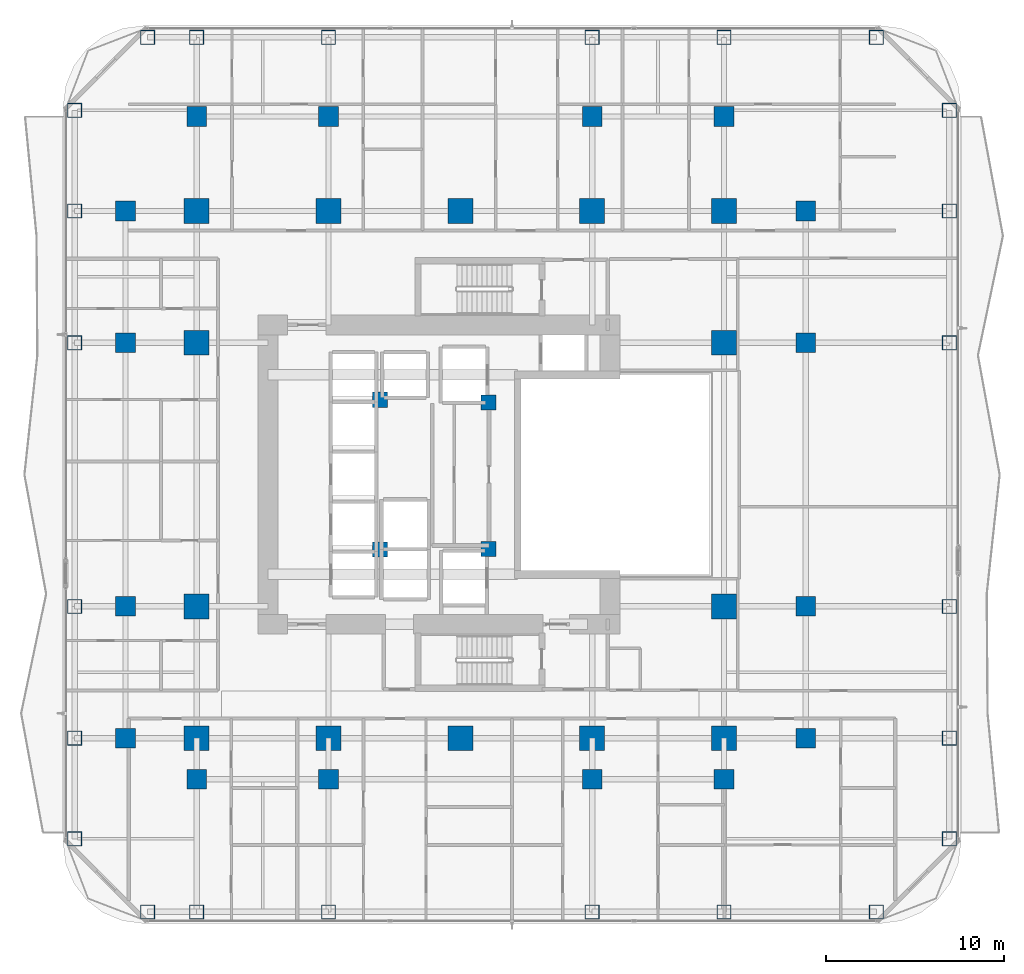
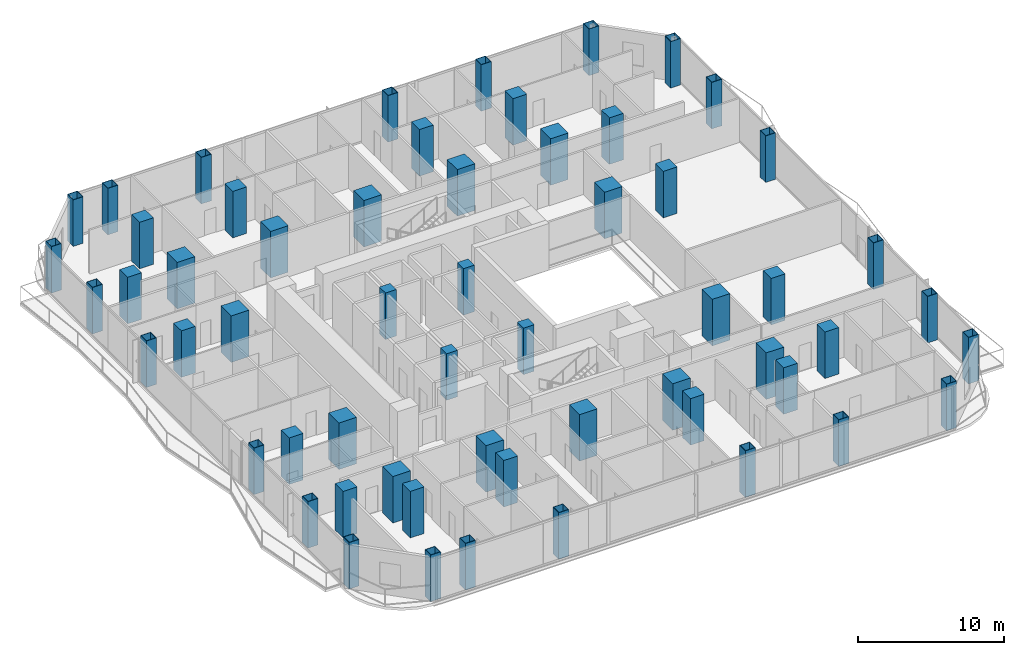
# One storey, part 1 of 30: 58 columns.
"""IFC4 building model written with IfcOpenShell, lengths in metres."""

from ifc_helpers import new_model, si_unit, direction, frame, origin, origin_2d, place, context, subcontext, project, spatial, rectangle, hollow_rectangle, extrude, material, material_profile, profile_set, type_object, element, save


model = new_model("IFC4")

# Units and contexts
model_context = context("Model", 3, precision=1e-05, world=origin(), true_north=direction((0.0, 1.0)))
body_context = subcontext(model_context, "Body", "Model", "MODEL_VIEW")
ifc_project = project(units=[si_unit("LENGTHUNIT", "METRE"), si_unit("AREAUNIT", "SQUARE_METRE"), si_unit("VOLUMEUNIT", "CUBIC_METRE"), si_unit("PLANEANGLEUNIT", "RADIAN"), si_unit("MASSUNIT", "GRAM", prefix="KILO")], contexts=[model_context])

# Site, building, storey
site_placement = place(None, origin())
site = spatial("IfcSite", under=ifc_project, at=site_placement, CompositionType="ELEMENT")
building_placement = place(site_placement, origin())
building = spatial("IfcBuilding", under=site, at=building_placement, Name="Khorvyn Point Tower", CompositionType="ELEMENT")
storey_placement = place(building_placement, frame((0.0, 0.0, 30.60009765625)))
storey = spatial("IfcBuildingStorey", under=building, at=storey_placement, Name="L08", CompositionType="ELEMENT", Elevation=30.60009765625)

# Columns
ifc_material_1 = material(Name="Concrete C40/50", Category="concrete")
ifc_material_profile_1 = material_profile(ifc_material_1, rectangle(XDim=0.85009765625, YDim=0.85009765625, at=origin_2d()))
ifc_profile_set_1 = profile_set([ifc_material_profile_1], Name="Concrete C40/50 RC850x850")
column_type_1 = type_object("IfcColumnType", Name="Concrete C40/50 Column RC850x850", PredefinedType="COLUMN", material=ifc_profile_set_1)
for number, where, z_axis, x_axis, name in (
    (1, (-4.52001953125, -4.199951171875, 0.0), (0.0, 0.0, 1.0), (1.0, 0.0, 0.0), "L08 Crown Core Spine Column 1"),
    (2, (1.580078125, -4.179931640625, 0.0), (0.0, 0.0, 1.0), (1.0, 0.0, 0.0), "L08 Crown Core Spine Column 2"),
    (3, (1.580078125, 4.050048828125, 0.0), (0.0, 0.0, 1.0), (1.0, 0.0, 0.0), "L08 Crown Core Spine Column 3"),
    (4, (-4.52001953125, 4.199951171875, 0.0), (0.0, 0.0, 1.0), (1.0, 0.0, 0.0), "L08 Crown Core Spine Column 4"),
):
    element("IfcColumn", number, at=place(storey_placement, frame(where, z_axis=z_axis, x_axis=x_axis)), inside=storey, type_object=column_type_1, Name=name, PredefinedType="COLUMN", context=body_context, shape_type="SweptSolid", body=[
        extrude(rectangle(XDim=0.85009765625, YDim=0.85009765625, at=origin_2d()), origin(), (0.0, 0.0, 1.0), 3.89990234375),
    ])
ifc_material_2 = material(Name="Concrete C45/55", Category="concrete")
ifc_material_profile_2 = material_profile(ifc_material_2, rectangle(XDim=1.10009765625, YDim=1.10009765625, at=origin_2d()))
ifc_profile_set_2 = profile_set([ifc_material_profile_2], Name="Concrete C45/55 RC1100x1100")
column_type_2 = type_object("IfcColumnType", Name="Concrete C45/55 Column RC1100x1100", PredefinedType="COLUMN", material=ifc_profile_set_2)
for number, where, z_axis, x_axis, name in (
    (5, (-18.800048828125, -14.800048828125, 0.0), (0.0, 0.0, 1.0), (1.0, 0.0, 0.0), "L08 Intermediate Column ICW--14"),
    (6, (-18.800048828125, -7.39990234375, 0.0), (0.0, 0.0, 1.0), (1.0, 0.0, 0.0), "L08 Intermediate Column ICW--7"),
    (7, (-18.800048828125, 7.39990234375, 0.0), (0.0, 0.0, 1.0), (1.0, 0.0, 0.0), "L08 Intermediate Column ICW-7"),
    (8, (-18.800048828125, 14.800048828125, 0.0), (0.0, 0.0, 1.0), (1.0, 0.0, 0.0), "L08 Intermediate Column ICW-14"),
    (9, (19.39990234375, -14.800048828125, 0.0), (0.0, 0.0, 1.0), (1.0, 0.0, 0.0), "L08 Intermediate Column ICE--14"),
    (10, (19.39990234375, -7.39990234375, 0.0), (0.0, 0.0, 1.0), (1.0, 0.0, 0.0), "L08 Intermediate Column ICE--7"),
    (11, (19.39990234375, 7.39990234375, 0.0), (0.0, 0.0, 1.0), (1.0, 0.0, 0.0), "L08 Intermediate Column ICE-7"),
    (12, (19.39990234375, 14.800048828125, 0.0), (0.0, 0.0, 1.0), (1.0, 0.0, 0.0), "L08 Intermediate Column ICE-14"),
    (13, (-14.800048828125, -17.10009765625, 0.0), (0.0, 0.0, 1.0), (1.0, 0.0, 0.0), "L08 Intermediate Column ICS--14"),
    (14, (-7.39990234375, -17.10009765625, 0.0), (0.0, 0.0, 1.0), (1.0, 0.0, 0.0), "L08 Intermediate Column ICS--7"),
    (15, (7.39990234375, -17.10009765625, 0.0), (0.0, 0.0, 1.0), (1.0, 0.0, 0.0), "L08 Intermediate Column ICS-7"),
    (16, (14.800048828125, -17.10009765625, 0.0), (0.0, 0.0, 1.0), (1.0, 0.0, 0.0), "L08 Intermediate Column ICS-14"),
    (17, (-14.800048828125, 20.10009765625, 0.0), (0.0, 0.0, 1.0), (1.0, 0.0, 0.0), "L08 Intermediate Column ICN--14"),
    (18, (-7.39990234375, 20.10009765625, 0.0), (0.0, 0.0, 1.0), (1.0, 0.0, 0.0), "L08 Intermediate Column ICN--7"),
    (19, (7.39990234375, 20.10009765625, 0.0), (0.0, 0.0, 1.0), (1.0, 0.0, 0.0), "L08 Intermediate Column ICN-7"),
    (20, (14.800048828125, 20.10009765625, 0.0), (0.0, 0.0, 1.0), (1.0, 0.0, 0.0), "L08 Intermediate Column ICN-14"),
):
    element("IfcColumn", number, at=place(storey_placement, frame(where, z_axis=z_axis, x_axis=x_axis)), inside=storey, type_object=column_type_2, Name=name, PredefinedType="COLUMN", context=body_context, shape_type="SweptSolid", body=[
        extrude(rectangle(XDim=1.10009765625, YDim=1.10009765625, at=origin_2d()), origin(), (0.0, 0.0, 1.0), 3.89990234375),
    ])
ifc_material_3 = material(Name="Concrete C50/60", Category="concrete")
ifc_material_profile_3 = material_profile(ifc_material_3, rectangle(XDim=1.39990234375, YDim=1.39990234375, at=origin_2d()))
ifc_profile_set_3 = profile_set([ifc_material_profile_3], Name="Concrete C50/60 RC1400x1400")
column_type_3 = type_object("IfcColumnType", Name="Concrete C50/60 Column RC1400x1400", PredefinedType="COLUMN", material=ifc_profile_set_3)
for number, where, z_axis, x_axis, name in (
    (21, (-14.800048828125, -14.800048828125, 0.0), (0.0, 0.0, 1.0), (1.0, 0.0, 0.0), "L08 Mega-Column MC-01"),
    (22, (-7.39990234375, -14.800048828125, 0.0), (0.0, 0.0, 1.0), (1.0, 0.0, 0.0), "L08 Mega-Column MC-02"),
    (23, (0.0, -14.800048828125, 0.0), (0.0, 0.0, 1.0), (1.0, 0.0, 0.0), "L08 Mega-Column MC-03"),
    (24, (7.39990234375, -14.800048828125, 0.0), (0.0, 0.0, 1.0), (1.0, 0.0, 0.0), "L08 Mega-Column MC-04"),
    (25, (14.800048828125, -14.800048828125, 0.0), (0.0, 0.0, 1.0), (1.0, 0.0, 0.0), "L08 Mega-Column MC-05"),
    (26, (-14.800048828125, 14.800048828125, 0.0), (0.0, 0.0, 1.0), (1.0, 0.0, 0.0), "L08 Mega-Column MC-06"),
    (27, (-7.39990234375, 14.800048828125, 0.0), (0.0, 0.0, 1.0), (1.0, 0.0, 0.0), "L08 Mega-Column MC-07"),
    (28, (0.0, 14.800048828125, 0.0), (0.0, 0.0, 1.0), (1.0, 0.0, 0.0), "L08 Mega-Column MC-08"),
    (29, (7.39990234375, 14.800048828125, 0.0), (0.0, 0.0, 1.0), (1.0, 0.0, 0.0), "L08 Mega-Column MC-09"),
    (30, (14.800048828125, 14.800048828125, 0.0), (0.0, 0.0, 1.0), (1.0, 0.0, 0.0), "L08 Mega-Column MC-10"),
    (31, (-14.800048828125, -7.39990234375, 0.0), (0.0, 0.0, 1.0), (1.0, 0.0, 0.0), "L08 Mega-Column MC-11"),
    (32, (-14.800048828125, 7.39990234375, 0.0), (0.0, 0.0, 1.0), (1.0, 0.0, 0.0), "L08 Mega-Column MC-12"),
    (33, (14.800048828125, -7.39990234375, 0.0), (0.0, 0.0, 1.0), (1.0, 0.0, 0.0), "L08 Mega-Column MC-13"),
    (34, (14.800048828125, 7.39990234375, 0.0), (0.0, 0.0, 1.0), (1.0, 0.0, 0.0), "L08 Mega-Column MC-14"),
):
    element("IfcColumn", number, at=place(storey_placement, frame(where, z_axis=z_axis, x_axis=x_axis)), inside=storey, type_object=column_type_3, Name=name, PredefinedType="COLUMN", context=body_context, shape_type="SweptSolid", body=[
        extrude(rectangle(XDim=1.39990234375, YDim=1.39990234375, at=origin_2d()), origin(), (0.0, 0.0, 1.0), 3.89990234375),
    ])
ifc_material_4 = material(Name="Steel S450", Category="steel")
ifc_material_profile_4 = material_profile(ifc_material_4, hollow_rectangle(XDim=0.800048828125, YDim=0.800048828125, WallThickness=0.035888671875, at=origin_2d()))
ifc_profile_set_4 = profile_set([ifc_material_profile_4], Name="Steel S450 BOX800x800x36")
column_type_4 = type_object("IfcColumnType", Name="Steel S450 Structural Column BOX800x800x36", PredefinedType="COLUMN", material=ifc_profile_set_4)
for number, where, z_axis, x_axis, name in (
    (35, (-17.550048828125, -24.550048828125, 0.0), (0.0, 0.0, 1.0), (1.0, 0.0, 0.0), "L08 Perimeter Tube Column TC-01"),
    (36, (23.35009765625, -24.550048828125, 0.0), (0.0, 0.0, 1.0), (1.0, 0.0, 0.0), "L08 Perimeter Tube Column TC-02"),
    (37, (-17.550048828125, 24.550048828125, 0.0), (0.0, 0.0, 1.0), (1.0, 0.0, 0.0), "L08 Perimeter Tube Column TC-03"),
    (38, (23.35009765625, 24.550048828125, 0.0), (0.0, 0.0, 1.0), (1.0, 0.0, 0.0), "L08 Perimeter Tube Column TC-04"),
    (39, (-21.64990234375, -20.449951171875, 0.0), (0.0, 0.0, 1.0), (1.0, 0.0, 0.0), "L08 Perimeter Tube Column TC-05"),
    (40, (-21.64990234375, 20.449951171875, 0.0), (0.0, 0.0, 1.0), (1.0, 0.0, 0.0), "L08 Perimeter Tube Column TC-06"),
    (41, (27.449951171875, -20.449951171875, 0.0), (0.0, 0.0, 1.0), (1.0, 0.0, 0.0), "L08 Perimeter Tube Column TC-07"),
    (42, (27.449951171875, 20.449951171875, 0.0), (0.0, 0.0, 1.0), (1.0, 0.0, 0.0), "L08 Perimeter Tube Column TC-08"),
    (43, (-14.800048828125, -24.550048828125, 0.0), (0.0, 0.0, 1.0), (1.0, 0.0, 0.0), "L08 Perimeter Tube Column TC-09"),
    (44, (-14.800048828125, 24.550048828125, 0.0), (0.0, 0.0, 1.0), (1.0, 0.0, 0.0), "L08 Perimeter Tube Column TC-10"),
    (45, (-7.39990234375, -24.550048828125, 0.0), (0.0, 0.0, 1.0), (1.0, 0.0, 0.0), "L08 Perimeter Tube Column TC-11"),
    (46, (-7.39990234375, 24.550048828125, 0.0), (0.0, 0.0, 1.0), (1.0, 0.0, 0.0), "L08 Perimeter Tube Column TC-12"),
    (47, (7.39990234375, -24.550048828125, 0.0), (0.0, 0.0, 1.0), (1.0, 0.0, 0.0), "L08 Perimeter Tube Column TC-13"),
    (48, (7.39990234375, 24.550048828125, 0.0), (0.0, 0.0, 1.0), (1.0, 0.0, 0.0), "L08 Perimeter Tube Column TC-14"),
    (49, (14.800048828125, -24.550048828125, 0.0), (0.0, 0.0, 1.0), (1.0, 0.0, 0.0), "L08 Perimeter Tube Column TC-15"),
    (50, (14.800048828125, 24.550048828125, 0.0), (0.0, 0.0, 1.0), (1.0, 0.0, 0.0), "L08 Perimeter Tube Column TC-16"),
    (51, (-21.64990234375, -14.800048828125, 0.0), (0.0, 0.0, 1.0), (1.0, 0.0, 0.0), "L08 Perimeter Tube Column TC-17"),
    (52, (27.449951171875, -14.800048828125, 0.0), (0.0, 0.0, 1.0), (1.0, 0.0, 0.0), "L08 Perimeter Tube Column TC-18"),
    (53, (-21.64990234375, -7.39990234375, 0.0), (0.0, 0.0, 1.0), (1.0, 0.0, 0.0), "L08 Perimeter Tube Column TC-19"),
    (54, (27.449951171875, -7.39990234375, 0.0), (0.0, 0.0, 1.0), (1.0, 0.0, 0.0), "L08 Perimeter Tube Column TC-20"),
    (55, (-21.64990234375, 7.39990234375, 0.0), (0.0, 0.0, 1.0), (1.0, 0.0, 0.0), "L08 Perimeter Tube Column TC-21"),
    (56, (27.449951171875, 7.39990234375, 0.0), (0.0, 0.0, 1.0), (1.0, 0.0, 0.0), "L08 Perimeter Tube Column TC-22"),
    (57, (-21.64990234375, 14.800048828125, 0.0), (0.0, 0.0, 1.0), (1.0, 0.0, 0.0), "L08 Perimeter Tube Column TC-23"),
    (58, (27.449951171875, 14.800048828125, 0.0), (0.0, 0.0, 1.0), (1.0, 0.0, 0.0), "L08 Perimeter Tube Column TC-24"),
):
    element("IfcColumn", number, at=place(storey_placement, frame(where, z_axis=z_axis, x_axis=x_axis)), inside=storey, type_object=column_type_4, Name=name, PredefinedType="COLUMN", context=body_context, shape_type="SweptSolid", body=[
        extrude(hollow_rectangle(XDim=0.800048828125, YDim=0.800048828125, WallThickness=0.035888671875, at=origin_2d()), origin(), (0.0, 0.0, 1.0), 3.89990234375),
    ])

save(model, "model.ifc")
